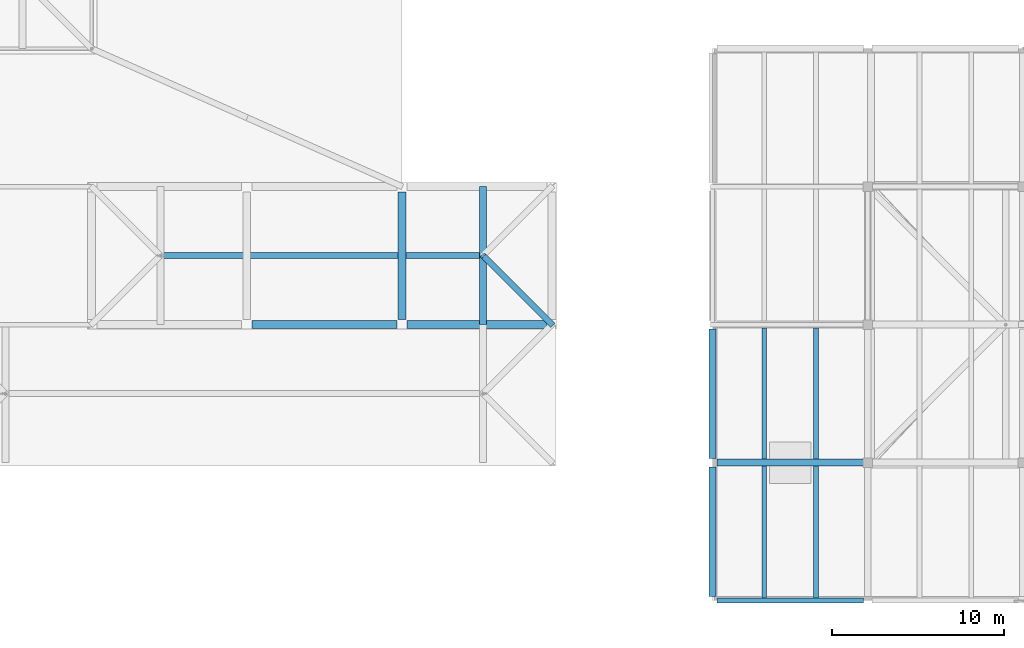
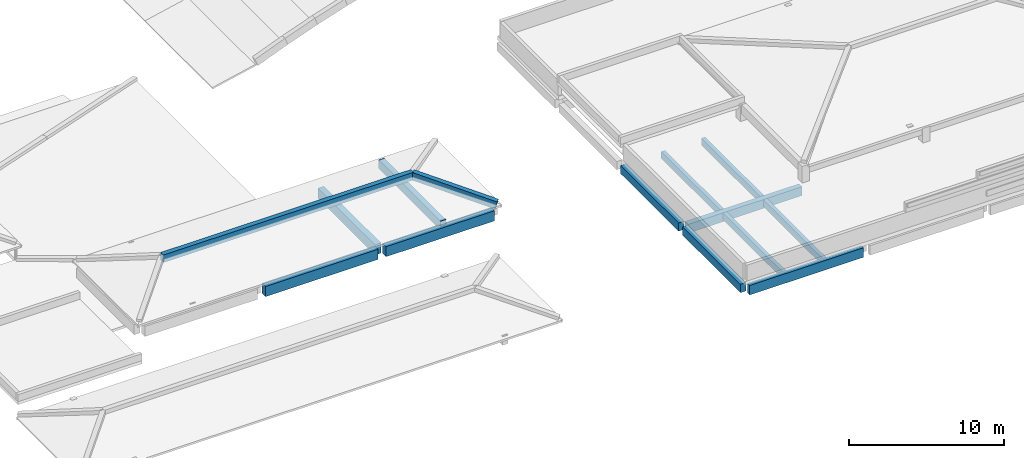
# One storey, part 22 of 56: 14 beams.
"""IFC4 building model written with IfcOpenShell, lengths in metres."""

from ifc_helpers import new_model, si_unit, direction, frame, origin, origin_2d, place, context, subcontext, project, spatial, rectangle, extrude, material, material_profile, profile_set, type_object, element, save


model = new_model("IFC4")

# Units and contexts
model_context = context("Model", 3, precision=1e-05, world=origin(), true_north=direction((0.0, 1.0)))
body_context = subcontext(model_context, "Body", "Model", "MODEL_VIEW")
ifc_project = project(units=[si_unit("LENGTHUNIT", "METRE"), si_unit("AREAUNIT", "SQUARE_METRE"), si_unit("VOLUMEUNIT", "CUBIC_METRE"), si_unit("PLANEANGLEUNIT", "RADIAN"), si_unit("MASSUNIT", "GRAM", prefix="KILO")], contexts=[model_context])

# Site, building, storey
site_placement = place(None, origin())
site = spatial("IfcSite", under=ifc_project, at=site_placement, CompositionType="ELEMENT")
building_placement = place(site_placement, origin())
building = spatial("IfcBuilding", under=site, at=building_placement, Name="Zacnel Wholesale Market", CompositionType="ELEMENT")
storey_placement = place(building_placement, frame((0.0, 0.0, 20.300048828125)))
storey = spatial("IfcBuildingStorey", under=building, at=storey_placement, Name="RF", CompositionType="ELEMENT", Elevation=20.300048828125)

# Beams
ifc_material_1 = material(Name="Concrete C40/50", Category="concrete")
ifc_material_profile_1 = material_profile(ifc_material_1, rectangle(XDim=0.35009765625, YDim=0.60009765625, at=origin_2d()), Name="ARCH RIB 350x600")
ifc_profile_set_1 = profile_set([ifc_material_profile_1], Name="Concrete C40/50")
beam_type_1 = type_object("IfcBeamType", Name="BM-AR600", PredefinedType="USERDEFINED", material=ifc_profile_set_1)
beam_1_placement = place(storey_placement, frame((143.699951171875, 16.0, -0.320068359375), z_axis=(-0.689141918443, 0.689141918443, 0.223979535871), x_axis=(-0.707106781187, -0.707106781187, 0.0)))
element("IfcBeam", 1, at=beam_1_placement, inside=storey, type_object=beam_type_1, Name="Hipped crown rib STR-ROOF-V4E-TOP-2", ObjectType="ARCH RIB", PredefinedType="USERDEFINED", context=body_context, shape_type="SweptSolid", body=[
    extrude(rectangle(XDim=0.35009765625, YDim=0.60009765625, at=origin_2d()), origin(), (0.0, 0.0, 1.0), 5.80419921875),
])
beam_2_placement = place(storey_placement, frame((121.0, 20.0, 0.97998046875), z_axis=(1.0, 0.0, 0.0), x_axis=(0.0, 1.0, 0.0)))
element("IfcBeam", 2, at=beam_2_placement, inside=storey, type_object=beam_type_1, Name="Hipped crown ridge STR-ROOF-V4E-TOP", ObjectType="ARCH RIB", PredefinedType="USERDEFINED", context=body_context, shape_type="SweptSolid", body=[
    extrude(rectangle(XDim=0.35009765625, YDim=0.60009765625, at=origin_2d()), origin(), (0.0, 0.0, 1.0), 18.699951171875),
])
ifc_material_2 = material(Name="Precast concrete C45/55", Category="concrete")
ifc_material_profile_2 = material_profile(ifc_material_2, rectangle(XDim=0.280029296875, YDim=0.550048828125, at=origin_2d()), Name="DT RIB 280x550")
ifc_profile_set_2 = profile_set([ifc_material_profile_2], Name="Precast concrete C45/55")
beam_type_2 = type_object("IfcBeamType", Name="BM-DT550", PredefinedType="JOIST", material=ifc_profile_set_2)
for number, where, z_axis, x_axis, name in (
    (3, (156.0, 0.14990234375, -0.574951171875), (0.0, 1.0, 0.0), (-1.0, 0.0, 0.0), "Precast secondary joist RF-0789"),
    (4, (159.0, 0.14990234375, -0.574951171875), (0.0, 1.0, 0.0), (-1.0, 0.0, 0.0), "Precast secondary joist RF-0790"),
):
    element("IfcBeam", number, at=place(storey_placement, frame(where, z_axis=z_axis, x_axis=x_axis)), inside=storey, type_object=beam_type_2, Name=name, PredefinedType="JOIST", context=body_context, shape_type="SweptSolid", body=[
        extrude(rectangle(XDim=0.280029296875, YDim=0.550048828125, at=origin_2d()), origin(), (0.0, 0.0, 1.0), 7.650146484375),
    ])
for number, where, z_axis, x_axis, name in (
    (5, (156.0, 8.199951171875, -0.574951171875), (0.0, 1.0, 0.0), (-1.0, 0.0, 0.0), "Precast secondary joist RF-0797"),
    (6, (159.0, 8.199951171875, -0.574951171875), (0.0, 1.0, 0.0), (-1.0, 0.0, 0.0), "Precast secondary joist RF-0798"),
):
    element("IfcBeam", number, at=place(storey_placement, frame(where, z_axis=z_axis, x_axis=x_axis)), inside=storey, type_object=beam_type_2, Name=name, PredefinedType="JOIST", context=body_context, shape_type="SweptSolid", body=[
        extrude(rectangle(XDim=0.280029296875, YDim=0.550048828125, at=origin_2d()), origin(), (0.0, 0.0, 1.0), 7.60009765625),
    ])
ifc_material_3 = material(Name="Precast concrete C45/55", Category="concrete")
ifc_material_profile_3 = material_profile(ifc_material_3, rectangle(XDim=0.39990234375, YDim=0.64990234375, at=origin_2d()), Name="PG 400x650")
ifc_profile_set_3 = profile_set([ifc_material_profile_3], Name="Precast concrete C45/55")
beam_type_3 = type_object("IfcBeamType", Name="BM-PG650", PredefinedType="BEAM", material=ifc_profile_set_3)
for number, where, z_axis, x_axis, name in (
    (7, (153.0, 0.25, -0.625), (0.0, 1.0, 0.0), (-1.0, 0.0, 0.0), "Precast girder Y-1494"),
    (8, (153.0, 8.25, -0.625), (0.0, 1.0, 0.0), (-1.0, 0.0, 0.0), "Precast girder Y-1495"),
):
    element("IfcBeam", number, at=place(storey_placement, frame(where, z_axis=z_axis, x_axis=x_axis)), inside=storey, type_object=beam_type_3, Name=name, PredefinedType="BEAM", context=body_context, shape_type="SweptSolid", body=[
        extrude(rectangle(XDim=0.39990234375, YDim=0.64990234375, at=origin_2d()), origin(), (0.0, 0.0, 1.0), 7.5),
    ])
ifc_material_4 = material(Name="Precast concrete C45/55", Category="concrete")
ifc_material_profile_4 = material_profile(ifc_material_4, rectangle(XDim=0.39990234375, YDim=0.699951171875, at=origin_2d()), Name="PG 400x700")
ifc_profile_set_4 = profile_set([ifc_material_profile_4], Name="Precast concrete C45/55")
beam_type_4 = type_object("IfcBeamType", Name="BM-PG700", PredefinedType="BEAM", material=ifc_profile_set_4)
beam_3_placement = place(storey_placement, frame((153.25, 8.0, -0.650146484375), z_axis=(1.0, 0.0, 0.0), x_axis=(0.0, 1.0, 0.0)))
element("IfcBeam", 9, at=beam_3_placement, inside=storey, type_object=beam_type_4, Name="Precast girder X-1331", PredefinedType="BEAM", context=body_context, shape_type="SweptSolid", body=[
    extrude(rectangle(XDim=0.39990234375, YDim=0.699951171875, at=origin_2d()), origin(), (0.0, 0.0, 1.0), 8.5),
])
beam_4_placement = place(storey_placement, frame((139.699951171875, 16.0, -0.550048828125), z_axis=(0.0, 1.0, 0.0), x_axis=(-1.0, 0.0, 0.0)))
element("IfcBeam", 10, at=beam_4_placement, inside=storey, type_object=beam_type_4, Name="Hipped crown tie beam STR-ROOF-V4E-TOP-2", PredefinedType="BEAM", context=body_context, shape_type="SweptSolid", body=[
    extrude(rectangle(XDim=0.39990234375, YDim=0.699951171875, at=origin_2d()), origin(), (0.0, 0.0, 1.0), 8.0),
])
ifc_material_5 = material(Name="Precast concrete C45/55", Category="concrete")
ifc_material_profile_5 = material_profile(ifc_material_5, rectangle(XDim=0.449951171875, YDim=0.800048828125, at=origin_2d()), Name="PG 450x800")
ifc_profile_set_5 = profile_set([ifc_material_profile_5], Name="Precast concrete C45/55")
beam_type_5 = type_object("IfcBeamType", Name="BM-PG800", PredefinedType="BEAM", material=ifc_profile_set_5)
beam_5_placement = place(storey_placement, frame((126.300048828125, 16.0, -1.0), z_axis=(1.0, 0.0, 0.0), x_axis=(0.0, 1.0, 0.0)))
element("IfcBeam", 11, at=beam_5_placement, inside=storey, type_object=beam_type_5, Name="Precast wing girder X V4EL4-002", PredefinedType="BEAM", context=body_context, shape_type="SweptSolid", body=[
    extrude(rectangle(XDim=0.449951171875, YDim=0.800048828125, at=origin_2d()), origin(), (0.0, 0.0, 1.0), 8.39990234375),
])
beam_6_placement = place(storey_placement, frame((135.300048828125, 16.0, -1.0), z_axis=(1.0, 0.0, 0.0), x_axis=(0.0, 1.0, 0.0)))
element("IfcBeam", 12, at=beam_6_placement, inside=storey, type_object=beam_type_5, Name="Precast wing girder X V4EL4-003", PredefinedType="BEAM", context=body_context, shape_type="SweptSolid", body=[
    extrude(rectangle(XDim=0.449951171875, YDim=0.800048828125, at=origin_2d()), origin(), (0.0, 0.0, 1.0), 8.099853515625),
])
beam_7_placement = place(storey_placement, frame((135.0, 16.300048828125, -1.0), z_axis=(0.0, 1.0, 0.0), x_axis=(-1.0, 0.0, 0.0)))
element("IfcBeam", 13, at=beam_7_placement, inside=storey, type_object=beam_type_5, Name="Precast wing girder Y V4EL4-009", PredefinedType="BEAM", context=body_context, shape_type="SweptSolid", body=[
    extrude(rectangle(XDim=0.449951171875, YDim=0.800048828125, at=origin_2d()), origin(), (0.0, 0.0, 1.0), 7.39990234375),
])
ifc_material_6 = material(Name="Precast concrete C45/55", Category="concrete")
ifc_material_profile_6 = material_profile(ifc_material_6, rectangle(XDim=0.300048828125, YDim=0.75, at=origin_2d()), Name="SP 300x750")
ifc_profile_set_6 = profile_set([ifc_material_profile_6], Name="Precast concrete C45/55")
beam_type_6 = type_object("IfcBeamType", Name="BM-SP750", PredefinedType="SPANDREL", material=ifc_profile_set_6)
beam_8_placement = place(storey_placement, frame((153.25, 0.0, -0.675048828125), z_axis=(1.0, 0.0, 0.0), x_axis=(0.0, 1.0, 0.0)))
element("IfcBeam", 14, at=beam_8_placement, inside=storey, type_object=beam_type_6, Name="Precast girder X-1325", PredefinedType="SPANDREL", context=body_context, shape_type="SweptSolid", body=[
    extrude(rectangle(XDim=0.300048828125, YDim=0.75, at=origin_2d()), origin(), (0.0, 0.0, 1.0), 8.5),
])

save(model, "model.ifc")
